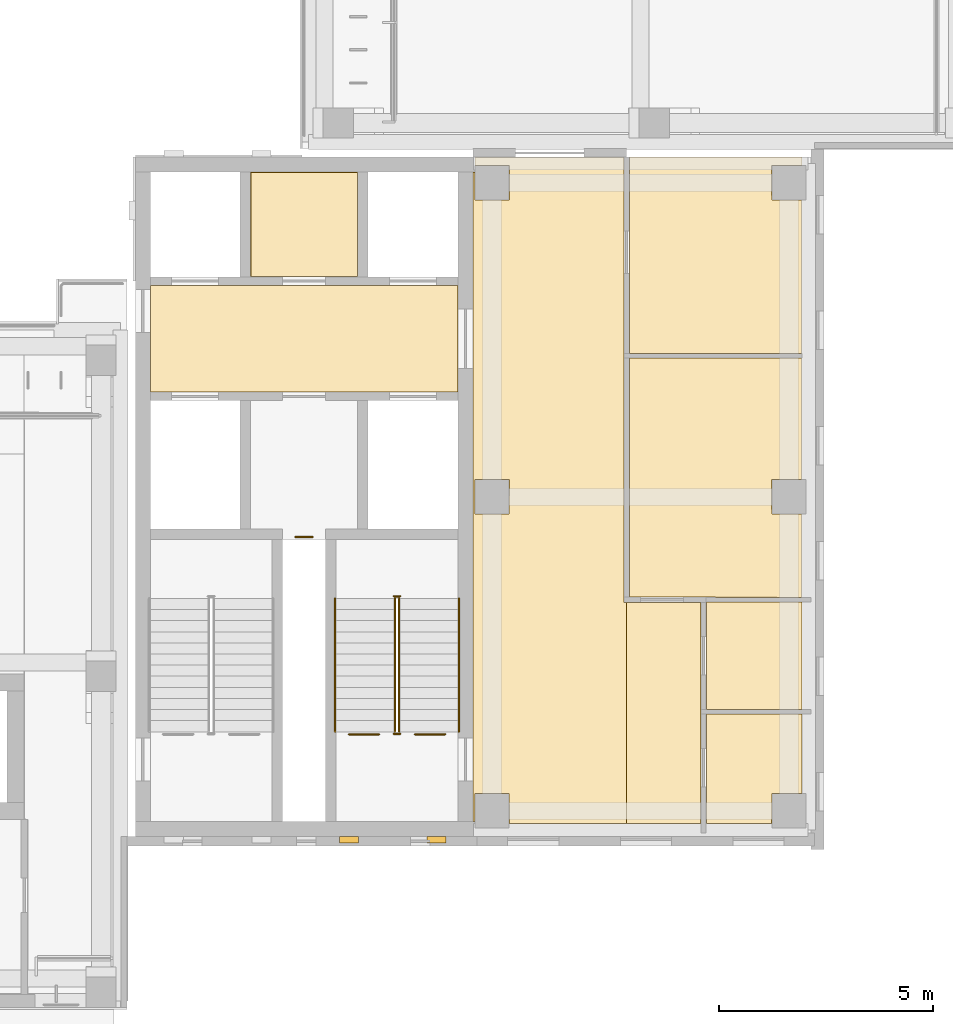
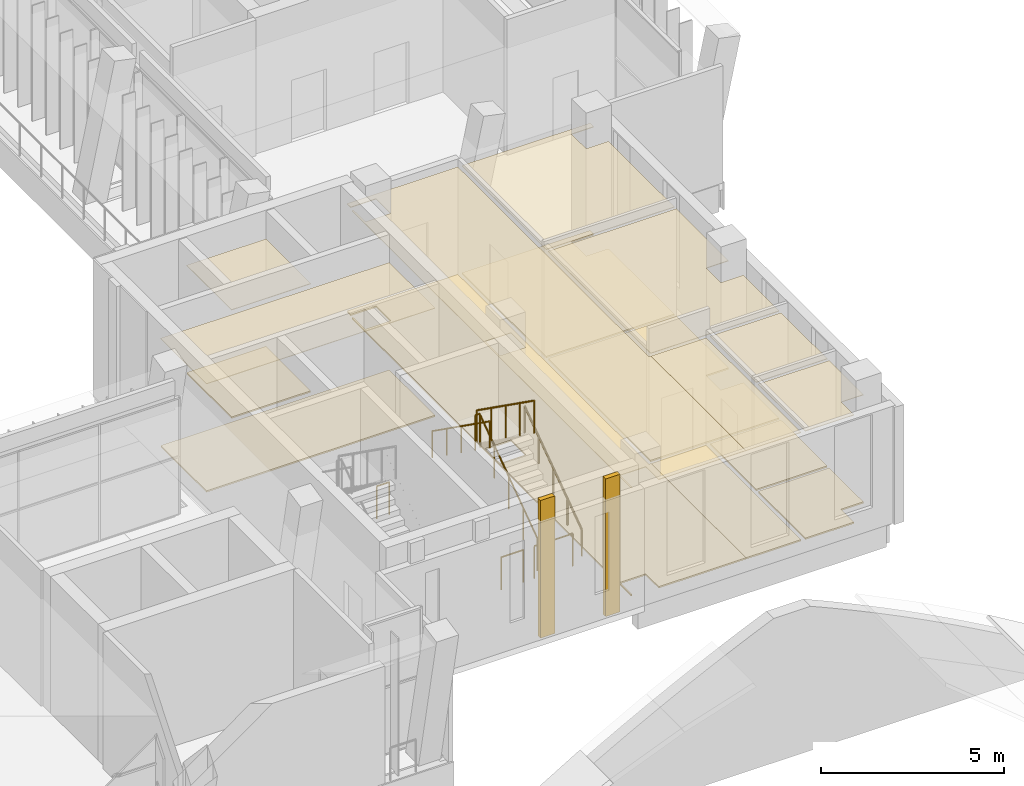
# One storey, part 58 of 74: 18 coverings, 9 railings.
"""IFC4 building model written with IfcOpenShell, lengths in metres."""

import ifcopenshell
import ifcopenshell.guid

model = None  # the IFC model being written
_history = None  # IfcOwnerHistory: only IFC2X3 demands one
_inside = {}  # id of a spatial element -> (the spatial element, [elements in it])
_under = {}  # id of a project, library or spatial element -> (it, [spatial elements below it])
_declared = {}  # id of a project -> (the project, [libraries it declares])
_typed = {}  # id of a type object -> (the type object, [elements of that type])
_made_of = {}  # id of a material, layer set ... -> (it, [elements and type objects made of it])


def new_model(schema):
    """Start an empty IFC model of exactly this schema.

    Asked for "IFC4X3", IfcOpenShell would pick the latest addendum, in which some entities
    have other attributes; the version numbers below select the first issue.
    IFC2X3 requires an IfcOwnerHistory on every rooted entity: one is made here for all.
    """
    global model, _history
    if schema == "IFC4X3":
        model = ifcopenshell.file(schema_version=(4, 3, 0, 0))
    else:
        model = ifcopenshell.file(schema=schema)
    _inside.clear()
    _under.clear()
    _declared.clear()
    _typed.clear()
    _made_of.clear()
    _history = None
    if model.schema == "IFC2X3":
        org = make("IfcOrganization", Name="unknown")
        user = make(
            "IfcPersonAndOrganization",
            ThePerson=make("IfcPerson", FamilyName="unknown"),
            TheOrganization=org,
        )
        app = make(
            "IfcApplication",
            ApplicationDeveloper=org,
            Version="unknown",
            ApplicationFullName="unknown",
            ApplicationIdentifier="unknown",
        )
        _history = make(
            "IfcOwnerHistory",
            OwningUser=user,
            OwningApplication=app,
            ChangeAction="ADDED",
            CreationDate=0,
        )
    return model


def make(cls, **values):
    """One entity of the class cls with the attributes given. An attribute that is None is left unset."""
    return model.create_entity(
        cls, **{name: value for name, value in values.items() if value is not None}
    )


def rooted(cls, **values):
    """An entity with a GlobalId (a new one), such as an element, a storey or a relation."""
    return make(cls, GlobalId=ifcopenshell.guid.new(), OwnerHistory=_history, **values)


def si_unit(unit_type, name, prefix=None):
    """IfcSIUnit, for example si_unit("LENGTHUNIT", "METRE", prefix="MILLI")."""
    return make("IfcSIUnit", UnitType=unit_type, Prefix=prefix, Name=name)


def assignment(units):
    """IfcUnitAssignment: the units of a project."""
    return None if units is None else make("IfcUnitAssignment", Units=units)


def point(xyz):
    """IfcCartesianPoint."""
    return None if xyz is None else make("IfcCartesianPoint", Coordinates=xyz)


def direction(xyz):
    """IfcDirection."""
    return None if xyz is None else make("IfcDirection", DirectionRatios=xyz)


def frame(location, z_axis=None, x_axis=None):
    """IfcAxis2Placement3D, a coordinate frame: its origin and axes. An axis left out is left unset."""
    return make(
        "IfcAxis2Placement3D",
        Location=point(location),
        Axis=direction(z_axis),
        RefDirection=direction(x_axis),
    )


def frame_2d(location, x_axis=None):
    """IfcAxis2Placement2D, a coordinate frame in the plane: its origin and x axis."""
    return make(
        "IfcAxis2Placement2D", Location=point(location), RefDirection=direction(x_axis)
    )


def origin():
    """The frame at (0, 0, 0) with its axes left unset."""
    return frame((0.0, 0.0, 0.0))


def origin_2d():
    """The frame at (0, 0) in the plane with its x axis left unset."""
    return frame_2d((0.0, 0.0))


def place(relative_to, where):
    """IfcLocalPlacement: puts the frame where relative to a parent placement (None: the world)."""
    return make(
        "IfcLocalPlacement", PlacementRelTo=relative_to, RelativePlacement=where
    )


def context(
    kind, dimensions, precision=None, world=None, true_north=None, identifier=None
):
    """IfcGeometricRepresentationContext, for example the 3D "Model" context."""
    return make(
        "IfcGeometricRepresentationContext",
        ContextIdentifier=identifier,
        ContextType=kind,
        CoordinateSpaceDimension=dimensions,
        Precision=precision,
        WorldCoordinateSystem=world,
        TrueNorth=true_north,
    )


def subcontext(parent, identifier, kind, view, scale=None):
    """IfcGeometricRepresentationSubContext, for example "Body" below "Model"."""
    return make(
        "IfcGeometricRepresentationSubContext",
        ContextIdentifier=identifier,
        ContextType=kind,
        ParentContext=parent,
        TargetScale=scale,
        TargetView=view,
    )


def project(units=None, contexts=None):
    """IfcProject with its units and contexts."""
    return rooted(
        "IfcProject",
        Name="project",
        RepresentationContexts=contexts,
        UnitsInContext=assignment(units),
    )


def spatial(cls, under=None, at=None, **own):
    """A site, building, storey or space (cls), placed at a placement, below another one or the project."""
    s = rooted(cls, ObjectPlacement=at, **own)
    if under is not None:
        _under.setdefault(under.id(), (under, []))[1].append(s)
    return s


def polyline(points):
    """IfcPolyline through the points."""
    return make("IfcPolyline", Points=[point(p) for p in points])


def profile(cls, at=None, kind="AREA", **sizes):
    """A parametric profile (cls). Its sizes go by their IFC names, for example OverallWidth=200.0."""
    return make(cls, ProfileType=kind, Position=at, **sizes)


def rectangle(**sizes):
    """IfcRectangleProfileDef."""
    return profile("IfcRectangleProfileDef", **sizes)


def circle(**sizes):
    """IfcCircleProfileDef."""
    return profile("IfcCircleProfileDef", **sizes)


def outline(outer, holes=None, kind="AREA"):
    """IfcArbitraryClosedProfileDef: a profile drawn as a closed curve; with holes, ...WithVoids."""
    if holes is None:
        return make("IfcArbitraryClosedProfileDef", ProfileType=kind, OuterCurve=outer)
    return make(
        "IfcArbitraryProfileDefWithVoids",
        ProfileType=kind,
        OuterCurve=outer,
        InnerCurves=holes,
    )


def extrude(swept, where, along, depth):
    """IfcExtrudedAreaSolid: the profile swept, set in the frame where, extruded along a direction by depth."""
    return make(
        "IfcExtrudedAreaSolid",
        SweptArea=swept,
        Position=where,
        ExtrudedDirection=direction(along),
        Depth=depth,
    )


def shape(context_of_items, identifier, shape_type, items):
    """IfcShapeRepresentation: the items that make up one representation, for example the "Body"."""
    return make(
        "IfcShapeRepresentation",
        ContextOfItems=context_of_items,
        RepresentationIdentifier=identifier,
        RepresentationType=shape_type,
        Items=items,
    )


def material(Name=None, Category=None):
    """IfcMaterial."""
    return make("IfcMaterial", Name=Name, Category=Category)


def layer(
    of_material, thickness, ventilated=None, Name=None, Category=None, Priority=None
):
    """IfcMaterialLayer: one layer of a wall or slab, of a material (None: an air gap)."""
    return make(
        "IfcMaterialLayer",
        Material=of_material,
        LayerThickness=thickness,
        IsVentilated=ventilated,
        Name=Name,
        Category=Category,
        Priority=Priority,
    )


def layer_set(layers, Name=None):
    """IfcMaterialLayerSet."""
    return make("IfcMaterialLayerSet", MaterialLayers=layers, LayerSetName=Name)


def made_of(thing, what):
    """Note that an element or type object is made of a material, layer set ...; save() writes the relation."""
    if what is not None:
        _made_of.setdefault(what.id(), (what, []))[1].append(thing)
    return thing


def type_object(cls, material=None, **own):
    """A type object (cls), such as IfcWallType, which elements share."""
    return made_of(rooted(cls, **own), material)


def element(
    cls,
    number,
    at=None,
    inside=None,
    cuts=None,
    type_object=None,
    material=None,
    context=None,
    identifier="Body",
    shape_type=None,
    held_by="IfcProductDefinitionShape",
    body=None,
    shapes=None,
    **own,
):
    """One element of the class cls, such as IfcWall. Its Tag is "e" and its number.

    at: its placement. inside: the storey or other place that contains it. cuts: it is an
    opening in that element (IfcRelVoidsElement). A single representation is given by context,
    identifier, shape_type and body (its items); several are given by shapes. held_by: the class
    of the entity that holds the representations. save() writes the other relations.
    """
    e = rooted(cls, Tag="e%d" % number, ObjectPlacement=at, **own)
    if body is not None:
        shapes = [shape(context, identifier, shape_type, body)]
    if shapes is not None:
        e.Representation = make(held_by, Representations=shapes)
    if inside is not None:
        _inside.setdefault(inside.id(), (inside, []))[1].append(e)
    if cuts is not None:
        rooted(
            "IfcRelVoidsElement", RelatingBuildingElement=cuts, RelatedOpeningElement=e
        )
    if type_object is not None:
        _typed.setdefault(type_object.id(), (type_object, []))[1].append(e)
    return made_of(e, material)


def aggregate(whole, parts):
    """IfcRelAggregates: a whole, such as a stair, and the parts it consists of."""
    return rooted("IfcRelAggregates", RelatingObject=whole, RelatedObjects=parts)


def save(model, path):
    """Write the relations noted so far, then the file.

    IfcRelAggregates (storeys below a building ...), IfcRelContainedInSpatialStructure (elements
    in a storey), IfcRelDefinesByType, IfcRelAssociatesMaterial and IfcRelDeclares: one each for
    every whole, place, type object, material and project.
    """
    for whole, parts in _under.values():
        aggregate(whole, parts)
    for where, things in _inside.values():
        rooted(
            "IfcRelContainedInSpatialStructure",
            RelatedElements=things,
            RelatingStructure=where,
        )
    for kind, things in _typed.values():
        rooted("IfcRelDefinesByType", RelatedObjects=things, RelatingType=kind)
    for what, things in _made_of.values():
        rooted("IfcRelAssociatesMaterial", RelatedObjects=things, RelatingMaterial=what)
    for by, libraries in _declared.values():
        rooted("IfcRelDeclares", RelatingContext=by, RelatedDefinitions=libraries)
    model.write(path)


model = new_model("IFC4")

# Units and contexts
model_context = context("Model", 3, precision=1e-05, world=origin(), true_north=direction((0.0, 1.0)))
body_context = subcontext(model_context, "Body", "Model", "MODEL_VIEW")
ifc_project = project(units=[si_unit("LENGTHUNIT", "METRE"), si_unit("AREAUNIT", "SQUARE_METRE"), si_unit("VOLUMEUNIT", "CUBIC_METRE"), si_unit("PLANEANGLEUNIT", "RADIAN"), si_unit("MASSUNIT", "GRAM", prefix="KILO")], contexts=[model_context])

# Site, building, storey
site_placement = place(None, origin())
site = spatial("IfcSite", under=ifc_project, at=site_placement, CompositionType="ELEMENT")
building_placement = place(site_placement, origin())
building = spatial("IfcBuilding", under=site, at=building_placement, Name="Lantern Court Media Centre", CompositionType="ELEMENT")
storey_placement = place(building_placement, frame((0.0, 0.0, 19.199951171875)))
storey = spatial("IfcBuildingStorey", under=building, at=storey_placement, Name="L04", CompositionType="ELEMENT", Elevation=19.199951171875)

# Coverings
ifc_material_1 = material(Name="Carpet")
ifc_layer_1 = layer(ifc_material_1, 0.050048828125)
ifc_layer_set_1 = layer_set([ifc_layer_1], Name="Carpet")
covering_type_1 = type_object("IfcCoveringType", Name="Carpet floor finish", PredefinedType="FLOORING", material=ifc_layer_set_1)
covering_1_placement = place(storey_placement, origin())
element("IfcCovering", 1, at=covering_1_placement, inside=storey, type_object=covering_type_1, Name="Children's and Youth Media Room floor finish", PredefinedType="FLOORING", context=body_context, shape_type="SweptSolid", body=[
    extrude(outline(polyline([(95.699951171875, 53.596923828125), (91.66748046875, 53.609619140625), (91.66748046875, 59.195068359375), (95.699951171875, 59.195068359375), (95.699951171875, 56.35498046875), (94.9951171875, 56.35009765625), (94.99609375, 55.546875), (95.699951171875, 55.544921875), (95.699951171875, 53.596923828125)])), origin(), (0.0, 0.0, 1.0), 0.050048828125),
])
covering_2_placement = place(storey_placement, origin())
element("IfcCovering", 2, at=covering_2_placement, inside=storey, type_object=covering_type_1, Name="Community Room 07 floor finish", PredefinedType="FLOORING", context=body_context, shape_type="SweptSolid", body=[
    extrude(outline(polyline([(95.699951171875, 59.304931640625), (91.66748046875, 59.304931640625), (91.66748046875, 63.89990234375), (95.699951171875, 63.89990234375), (95.699951171875, 63.705078125), (94.9951171875, 63.699951171875), (94.99609375, 62.896728515625), (95.699951171875, 62.89501953125), (95.699951171875, 59.304931640625)])), origin(), (0.0, 0.0, 1.0), 0.050048828125),
])
covering_3_placement = place(storey_placement, origin())
element("IfcCovering", 3, at=covering_3_placement, inside=storey, type_object=covering_type_1, Name="WC Male floor finish", PredefinedType="FLOORING", context=body_context, shape_type="SweptSolid", body=[
    extrude(outline(polyline([(95.699951171875, 49.0048828125), (94.99658203125, 49.00341796875), (94.9951171875, 48.300048828125), (93.467529296875, 48.300048828125), (93.467529296875, 50.865966796875), (95.699951171875, 50.865966796875), (95.699951171875, 49.0048828125)])), origin(), (0.0, 0.0, 1.0), 0.050048828125),
])
covering_4_placement = place(storey_placement, origin())
element("IfcCovering", 4, at=covering_4_placement, inside=storey, type_object=covering_type_1, Name="WC Female floor finish", PredefinedType="FLOORING", context=body_context, shape_type="SweptSolid", body=[
    extrude(outline(polyline([(95.699951171875, 50.97607421875), (93.467529296875, 50.97607421875), (93.467529296875, 53.487060546875), (95.699951171875, 53.487060546875), (95.699951171875, 50.97607421875)])), origin(), (0.0, 0.0, 1.0), 0.050048828125),
])
ifc_material_2 = material(Name="Ceramic tile")
ifc_layer_2 = layer(ifc_material_2, 0.050048828125)
ifc_layer_set_2 = layer_set([ifc_layer_2], Name="Ceramic tile")
covering_type_2 = type_object("IfcCoveringType", Name="Ceramic tile floor finish", PredefinedType="FLOORING", material=ifc_layer_set_2)
covering_5_placement = place(storey_placement, origin())
element("IfcCovering", 5, at=covering_5_placement, inside=storey, type_object=covering_type_2, Name="Accessible WC floor finish", PredefinedType="FLOORING", context=body_context, shape_type="SweptSolid", body=[
    extrude(outline(polyline([(85.294921875, 61.10498046875), (82.804931640625, 61.10498046875), (82.804931640625, 63.544921875), (85.294921875, 63.544921875), (85.294921875, 61.10498046875)])), origin(), (0.0, 0.0, 1.0), 0.050048828125),
])

# Railings
ifc_material_3 = material(Name="Powder-coated steel", Category="steel")
railing_type_1 = type_object("IfcRailingType", Name="Floor edge guard 1100", PredefinedType="GUARDRAIL", material=ifc_material_3)
railing_1_placement = place(storey_placement, frame((87.35009765625, 50.390380859375, 0.0)))
element("IfcRailing", 6, at=railing_1_placement, inside=storey, type_object=railing_type_1, Name="L04 opening guard 107", PredefinedType="GUARDRAIL", context=body_context, shape_type="SweptSolid", body=[
    extrude(circle(Radius=0.02392578125, at=origin_2d()), frame((0.0, 0.0, 1.076171875), z_axis=(-1.0, 0.0, 0.0), x_axis=(0.0, -1.0, 0.0)), (0.0, 0.0, 1.0), 0.703857421875),
    extrude(circle(Radius=0.02099609375, at=origin_2d()), origin(), (0.0, 0.0, 1.0), 1.052001953125),
    extrude(circle(Radius=0.02099609375, at=origin_2d()), frame((-0.703857421875, 0.0, 0.0)), (0.0, 0.0, 1.0), 1.052001953125),
])
railing_2_placement = place(storey_placement, frame((85.8037109375, 50.390380859375, 0.0)))
element("IfcRailing", 7, at=railing_2_placement, inside=storey, type_object=railing_type_1, Name="L04 opening guard 108", PredefinedType="GUARDRAIL", context=body_context, shape_type="SweptSolid", body=[
    extrude(circle(Radius=0.02392578125, at=origin_2d()), frame((0.0, 0.0, 1.076171875), z_axis=(-1.0, 0.0, 0.0), x_axis=(0.0, -1.0, 0.0)), (0.0, 0.0, 1.0), 0.70361328125),
    extrude(circle(Radius=0.02099609375, at=origin_2d()), origin(), (0.0, 0.0, 1.0), 1.052001953125),
    extrude(circle(Radius=0.02099609375, at=origin_2d()), frame((-0.70361328125, 0.0, 0.0)), (0.0, 0.0, 1.0), 1.052001953125),
])
railing_3_placement = place(storey_placement, frame((83.85009765625, 55.010009765625, 0.0)))
element("IfcRailing", 8, at=railing_3_placement, inside=storey, type_object=railing_type_1, Name="L04 opening guard 111", PredefinedType="GUARDRAIL", context=body_context, shape_type="SweptSolid", body=[
    extrude(circle(Radius=0.02392578125, at=origin_2d()), frame((0.0, 0.0, 1.076171875), z_axis=(1.0, 0.0, 0.0), x_axis=(0.0, 1.0, 0.0)), (0.0, 0.0, 1.0), 0.39990234375),
    extrude(circle(Radius=0.02099609375, at=origin_2d()), origin(), (0.0, 0.0, 1.0), 1.052001953125),
    extrude(circle(Radius=0.02099609375, at=origin_2d()), frame((0.39990234375, 0.0, 0.0)), (0.0, 0.0, 1.0), 1.052001953125),
])

# Coverings
ifc_material_4 = material(Name="Honed limestone cladding", Category="masonry")
ifc_layer_3 = layer(ifc_material_4, 0.14990234375)
ifc_layer_set_3 = layer_set([ifc_layer_3], Name="Honed limestone cladding")
covering_type_3 = type_object("IfcCoveringType", Name="Limestone pilaster cladding 150", PredefinedType="CLADDING", material=ifc_layer_set_3)
for number, where, z_axis, x_axis, name in (
    (9, (84.875, 47.925048828125, 0.0), (0.0, 0.0, 1.0), (1.0, 0.0, 0.0), "Limestone pilaster rib"),
    (10, (86.925048828125, 47.925048828125, 0.0), (0.0, 0.0, 1.0), (1.0, 0.0, 0.0), "Limestone pilaster rib"),
):
    element("IfcCovering", number, at=place(storey_placement, frame(where, z_axis=z_axis, x_axis=x_axis)), inside=storey, type_object=covering_type_3, Name=name, PredefinedType="CLADDING", context=body_context, shape_type="SweptSolid", body=[
        extrude(rectangle(XDim=0.449951171875, YDim=0.14990234375, at=frame_2d((0.22509765625, 0.0))), origin(), (0.0, 0.0, 1.0), 4.580078125),
    ])

# Railings
railing_type_2 = type_object("IfcRailingType", Name="Stair guard 1100", PredefinedType="GUARDRAIL", material=ifc_material_3)
railing_4_placement = place(storey_placement, frame((86.27587890625, 50.449951171875, 0.1845703125)))
element("IfcRailing", 11, at=railing_4_placement, inside=storey, type_object=railing_type_2, Name="L04 ST-SEA stair guard 1", PredefinedType="GUARDRAIL", context=body_context, shape_type="SweptSolid", body=[
    extrude(circle(Radius=0.02392578125, at=origin_2d()), frame((0.0, 0.0, 1.076171875), z_axis=(0.0, 0.815346844174, 0.578972817752), x_axis=(-1.0, 0.0, 0.0)), (0.0, 0.0, 1.0), 3.82666015625),
    extrude(circle(Radius=0.02099609375, at=origin_2d()), origin(), (0.0, 0.0, 1.0), 1.052001953125),
    extrude(circle(Radius=0.02099609375, at=origin_2d()), frame((0.0, 0.780029296875, 0.553955078125)), (0.0, 0.0, 1.0), 1.052001953125),
    extrude(circle(Radius=0.02099609375, at=origin_2d()), frame((0.0, 1.56005859375, 1.10791015625)), (0.0, 0.0, 1.0), 1.052001953125),
    extrude(circle(Radius=0.02099609375, at=origin_2d()), frame((0.0, 2.340087890625, 1.66162109375)), (0.0, 0.0, 1.0), 1.052001953125),
    extrude(circle(Radius=0.02099609375, at=origin_2d()), frame((0.0, 3.1201171875, 2.215576171875)), (0.0, 0.0, 1.0), 1.052001953125),
])
railing_5_placement = place(storey_placement, frame((86.300048828125, 53.6201171875, 2.400146484375)))
element("IfcRailing", 12, at=railing_5_placement, inside=storey, type_object=railing_type_2, Name="L04 ST-SEA stair guard 2", PredefinedType="GUARDRAIL", context=body_context, shape_type="SweptSolid", body=[
    extrude(circle(Radius=0.02392578125, at=origin_2d()), frame((0.0, 0.0, 1.076171875), z_axis=(-1.0, 0.0, 0.0), x_axis=(0.0, -1.0, 0.0)), (0.0, 0.0, 1.0), 0.150146484375),
    extrude(circle(Radius=0.02099609375, at=origin_2d()), origin(), (0.0, 0.0, 1.0), 1.052001953125),
    extrude(circle(Radius=0.02099609375, at=origin_2d()), frame((-0.150146484375, 0.0, 0.0)), (0.0, 0.0, 1.0), 1.052001953125),
])
railing_6_placement = place(storey_placement, frame((86.174072265625, 53.570068359375, 2.584716796875)))
element("IfcRailing", 13, at=railing_6_placement, inside=storey, type_object=railing_type_2, Name="L04 ST-SEA stair guard 3", PredefinedType="GUARDRAIL", context=body_context, shape_type="SweptSolid", body=[
    extrude(circle(Radius=0.02392578125, at=origin_2d()), frame((0.0, 0.0, 1.076171875), z_axis=(0.0, -0.815376961211, 0.578930402662), x_axis=(1.0, 0.0, 0.0)), (0.0, 0.0, 1.0), 3.82666015625),
    extrude(circle(Radius=0.02099609375, at=origin_2d()), origin(), (0.0, 0.0, 1.0), 1.052001953125),
    extrude(circle(Radius=0.02099609375, at=origin_2d()), frame((0.0, -0.780029296875, 0.5537109375)), (0.0, 0.0, 1.0), 1.052001953125),
    extrude(circle(Radius=0.02099609375, at=origin_2d()), frame((0.0, -1.56005859375, 1.107666015625)), (0.0, 0.0, 1.0), 1.052001953125),
    extrude(circle(Radius=0.02099609375, at=origin_2d()), frame((0.0, -2.340087890625, 1.66162109375)), (0.0, 0.0, 1.0), 1.052001953125),
    extrude(circle(Radius=0.02099609375, at=origin_2d()), frame((0.0, -3.1201171875, 2.21533203125)), (0.0, 0.0, 1.0), 1.052001953125),
])
railing_7_placement = place(storey_placement, frame((86.300048828125, 50.39990234375, 0.0)))
element("IfcRailing", 14, at=railing_7_placement, inside=storey, type_object=railing_type_2, Name="L04 ST-SEA stair guard 4", PredefinedType="GUARDRAIL", context=body_context, shape_type="SweptSolid", body=[
    extrude(circle(Radius=0.02392578125, at=origin_2d()), frame((0.0, 0.0, 1.076171875), z_axis=(-1.0, 0.0, 0.0), x_axis=(0.0, -1.0, 0.0)), (0.0, 0.0, 1.0), 0.150146484375),
    extrude(circle(Radius=0.02099609375, at=origin_2d()), origin(), (0.0, 0.0, 1.0), 1.052001953125),
    extrude(circle(Radius=0.02099609375, at=origin_2d()), frame((-0.150146484375, 0.0, 0.0)), (0.0, 0.0, 1.0), 1.052001953125),
])
railing_type_3 = type_object("IfcRailingType", Name="Stair handrail 900", PredefinedType="HANDRAIL", material=ifc_material_3)
railing_8_placement = place(storey_placement, frame((87.674072265625, 50.449951171875, 0.1845703125)))
element("IfcRailing", 15, at=railing_8_placement, inside=storey, type_object=railing_type_3, Name="L04 ST-SEA stair handrail 1", PredefinedType="HANDRAIL", context=body_context, shape_type="SweptSolid", body=[
    extrude(circle(Radius=0.02392578125, at=origin_2d()), frame((0.0, 0.0, 0.8759765625), z_axis=(0.0, 0.815346844174, 0.578972817752), x_axis=(-1.0, 0.0, 0.0)), (0.0, 0.0, 1.0), 3.82666015625),
    extrude(circle(Radius=0.02099609375, at=origin_2d()), origin(), (0.0, 0.0, 1.0), 0.851806640625),
    extrude(circle(Radius=0.02099609375, at=origin_2d()), frame((0.0, 0.780029296875, 0.553955078125)), (0.0, 0.0, 1.0), 0.851806640625),
    extrude(circle(Radius=0.02099609375, at=origin_2d()), frame((0.0, 1.56005859375, 1.10791015625)), (0.0, 0.0, 1.0), 0.851806640625),
    extrude(circle(Radius=0.02099609375, at=origin_2d()), frame((0.0, 2.340087890625, 1.66162109375)), (0.0, 0.0, 1.0), 0.851806640625),
    extrude(circle(Radius=0.02099609375, at=origin_2d()), frame((0.0, 3.1201171875, 2.215576171875)), (0.0, 0.0, 1.0), 0.851806640625),
])
railing_9_placement = place(storey_placement, frame((84.77587890625, 53.570068359375, 2.584716796875)))
element("IfcRailing", 16, at=railing_9_placement, inside=storey, type_object=railing_type_3, Name="L04 ST-SEA stair handrail 2", PredefinedType="HANDRAIL", context=body_context, shape_type="SweptSolid", body=[
    extrude(circle(Radius=0.02392578125, at=origin_2d()), frame((0.0, 0.0, 0.8759765625), z_axis=(0.0, -0.815376961211, 0.578930402662), x_axis=(1.0, 0.0, 0.0)), (0.0, 0.0, 1.0), 3.82666015625),
    extrude(circle(Radius=0.02099609375, at=origin_2d()), origin(), (0.0, 0.0, 1.0), 0.851806640625),
    extrude(circle(Radius=0.02099609375, at=origin_2d()), frame((0.0, -0.780029296875, 0.5537109375)), (0.0, 0.0, 1.0), 0.851806640625),
    extrude(circle(Radius=0.02099609375, at=origin_2d()), frame((0.0, -1.56005859375, 1.107666015625)), (0.0, 0.0, 1.0), 0.851806640625),
    extrude(circle(Radius=0.02099609375, at=origin_2d()), frame((0.0, -2.340087890625, 1.66162109375)), (0.0, 0.0, 1.0), 0.851806640625),
    extrude(circle(Radius=0.02099609375, at=origin_2d()), frame((0.0, -3.1201171875, 2.21533203125)), (0.0, 0.0, 1.0), 0.851806640625),
])

# Coverings
ifc_material_5 = material(Name="Mineral fibre ceiling tile")
ifc_layer_4 = layer(ifc_material_5, 0.02001953125)
ifc_layer_set_4 = layer_set([ifc_layer_4], Name="Mineral fibre ceiling tile")
covering_type_4 = type_object("IfcCoveringType", Name="Suspended ceiling tile", PredefinedType="CEILING", material=ifc_layer_set_4)
covering_6_placement = place(storey_placement, frame((0.0, 0.0, 3.60009765625)))
element("IfcCovering", 17, at=covering_6_placement, inside=storey, type_object=covering_type_4, Name="Lift Lobby ceiling", PredefinedType="CEILING", context=body_context, shape_type="SweptSolid", body=[
    extrude(outline(polyline([(87.6494140625, 58.400390625), (80.450439453125, 58.400390625), (80.450439453125, 60.8994140625), (87.6494140625, 60.8994140625), (87.6494140625, 58.400390625)])), origin(), (0.0, 0.0, 1.0), 0.02001953125),
])
covering_7_placement = place(storey_placement, frame((0.0, 0.0, 3.60009765625)))
element("IfcCovering", 18, at=covering_7_placement, inside=storey, type_object=covering_type_4, Name="Accessible WC ceiling", PredefinedType="CEILING", context=body_context, shape_type="SweptSolid", body=[
    extrude(outline(polyline([(85.299560546875, 61.1005859375), (82.800537109375, 61.1005859375), (82.800537109375, 63.549560546875), (85.299560546875, 63.549560546875), (85.299560546875, 61.1005859375)])), origin(), (0.0, 0.0, 1.0), 0.02001953125),
])
covering_8_placement = place(storey_placement, frame((0.0, 0.0, 3.60009765625)))
element("IfcCovering", 19, at=covering_8_placement, inside=storey, type_object=covering_type_4, Name="Corridor ceiling", PredefinedType="CEILING", context=body_context, shape_type="SweptSolid", body=[
    extrude(outline(polyline([(91.60009765625, 48.300048828125), (88.8505859375, 48.300048828125), (88.85009765625, 49.00048828125), (88.049560546875, 49.00048828125), (88.049560546875, 48.3505859375), (88.00048828125, 48.3505859375), (88.00048828125, 63.549560546875), (88.049560546875, 63.549560546875), (88.049560546875, 62.899658203125), (88.8505859375, 62.89990234375), (88.850341796875, 63.700439453125), (88.050537109375, 63.700439453125), (88.050537109375, 63.8994140625), (91.537109375, 63.8994140625), (91.537109375, 53.4794921875), (91.60009765625, 53.47900390625), (91.60009765625, 48.300048828125)]), holes=[polyline([(88.8505859375, 56.35009765625), (88.049560546875, 56.350341796875), (88.049560546875, 55.549560546875), (88.850341796875, 55.549560546875), (88.8505859375, 56.35009765625)])]), origin(), (0.0, 0.0, 1.0), 0.02001953125),
])
covering_9_placement = place(storey_placement, frame((0.0, 0.0, 3.60009765625)))
element("IfcCovering", 20, at=covering_9_placement, inside=storey, type_object=covering_type_4, Name="Children's and Youth Media Room ceiling", PredefinedType="CEILING", context=body_context, shape_type="SweptSolid", body=[
    extrude(outline(polyline([(95.699951171875, 53.592529296875), (91.6630859375, 53.60498046875), (91.6630859375, 59.199462890625), (95.699951171875, 59.199462890625), (95.699951171875, 56.3505859375), (94.99951171875, 56.35009765625), (94.99951171875, 55.549560546875), (95.699951171875, 55.549560546875), (95.699951171875, 53.592529296875)])), origin(), (0.0, 0.0, 1.0), 0.02001953125),
])
covering_10_placement = place(storey_placement, frame((0.0, 0.0, 3.60009765625)))
element("IfcCovering", 21, at=covering_10_placement, inside=storey, type_object=covering_type_4, Name="Community Room 07 ceiling", PredefinedType="CEILING", context=body_context, shape_type="SweptSolid", body=[
    extrude(outline(polyline([(95.699951171875, 59.300537109375), (91.6630859375, 59.300537109375), (91.6630859375, 63.89990234375), (95.699951171875, 63.89990234375), (95.699951171875, 63.700439453125), (94.99951171875, 63.699951171875), (94.99951171875, 62.899658203125), (95.699951171875, 62.8994140625), (95.699951171875, 59.300537109375)])), origin(), (0.0, 0.0, 1.0), 0.02001953125),
])
covering_11_placement = place(storey_placement, frame((0.0, 0.0, 3.60009765625)))
element("IfcCovering", 22, at=covering_11_placement, inside=storey, type_object=covering_type_4, Name="WC Lobby ceiling", PredefinedType="CEILING", context=body_context, shape_type="SweptSolid", body=[
    extrude(outline(polyline([(91.60009765625, 48.300048828125), (91.60009765625, 53.47900390625), (93.3369140625, 53.47900390625), (93.3369140625, 48.300048828125), (91.60009765625, 48.300048828125)])), origin(), (0.0, 0.0, 1.0), 0.02001953125),
])
covering_12_placement = place(storey_placement, frame((0.0, 0.0, 3.60009765625)))
element("IfcCovering", 23, at=covering_12_placement, inside=storey, type_object=covering_type_4, Name="WC Male ceiling", PredefinedType="CEILING", context=body_context, shape_type="SweptSolid", body=[
    extrude(outline(polyline([(95.699951171875, 49.00048828125), (94.999755859375, 49.000244140625), (94.99951171875, 48.300048828125), (93.462890625, 48.300048828125), (93.462890625, 50.87060546875), (95.699951171875, 50.87060546875), (95.699951171875, 49.00048828125)])), origin(), (0.0, 0.0, 1.0), 0.02001953125),
])
covering_13_placement = place(storey_placement, frame((0.0, 0.0, 3.60009765625)))
element("IfcCovering", 24, at=covering_13_placement, inside=storey, type_object=covering_type_4, Name="WC Female ceiling", PredefinedType="CEILING", context=body_context, shape_type="SweptSolid", body=[
    extrude(outline(polyline([(95.699951171875, 50.971435546875), (93.462890625, 50.971435546875), (93.462890625, 53.491455078125), (95.699951171875, 53.491455078125), (95.699951171875, 50.971435546875)])), origin(), (0.0, 0.0, 1.0), 0.02001953125),
])
ifc_material_6 = material(Name="Terrazzo")
ifc_layer_5 = layer(ifc_material_6, 0.050048828125)
ifc_layer_set_5 = layer_set([ifc_layer_5], Name="Terrazzo")
covering_type_5 = type_object("IfcCoveringType", Name="Terrazzo floor finish", PredefinedType="FLOORING", material=ifc_layer_set_5)
covering_14_placement = place(storey_placement, origin())
element("IfcCovering", 25, at=covering_14_placement, inside=storey, type_object=covering_type_5, Name="Lift Lobby floor finish", PredefinedType="FLOORING", context=body_context, shape_type="SweptSolid", body=[
    extrude(outline(polyline([(87.64501953125, 58.405029296875), (80.455078125, 58.405029296875), (80.455078125, 60.89501953125), (87.64501953125, 60.89501953125), (87.64501953125, 58.405029296875)])), origin(), (0.0, 0.0, 1.0), 0.050048828125),
])
covering_15_placement = place(storey_placement, origin())
element("IfcCovering", 26, at=covering_15_placement, inside=storey, type_object=covering_type_5, Name="Corridor floor finish", PredefinedType="FLOORING", context=body_context, shape_type="SweptSolid", body=[
    extrude(outline(polyline([(91.60009765625, 48.300048828125), (88.85498046875, 48.300048828125), (88.85009765625, 49.0048828125), (88.046875, 49.00390625), (88.044921875, 48.35498046875), (88.0048828125, 48.35498046875), (88.0048828125, 63.544921875), (88.044921875, 63.544921875), (88.046875, 62.896240234375), (88.85498046875, 62.89990234375), (88.853759765625, 63.703125), (88.054931640625, 63.705078125), (88.054931640625, 63.89501953125), (91.532470703125, 63.89501953125), (91.532470703125, 53.4794921875), (91.60009765625, 53.474609375), (91.60009765625, 48.300048828125)]), holes=[polyline([(88.85009765625, 55.544921875), (88.853515625, 56.353515625), (88.04638671875, 56.353515625), (88.04638671875, 55.54638671875), (88.85009765625, 55.544921875)])]), origin(), (0.0, 0.0, 1.0), 0.050048828125),
])
covering_16_placement = place(storey_placement, origin())
element("IfcCovering", 27, at=covering_16_placement, inside=storey, type_object=covering_type_5, Name="WC Lobby floor finish", PredefinedType="FLOORING", context=body_context, shape_type="SweptSolid", body=[
    extrude(outline(polyline([(91.60009765625, 48.300048828125), (91.60009765625, 53.474609375), (93.33251953125, 53.474609375), (93.33251953125, 48.300048828125), (91.60009765625, 48.300048828125)])), origin(), (0.0, 0.0, 1.0), 0.050048828125),
])

save(model, "model.ifc")
